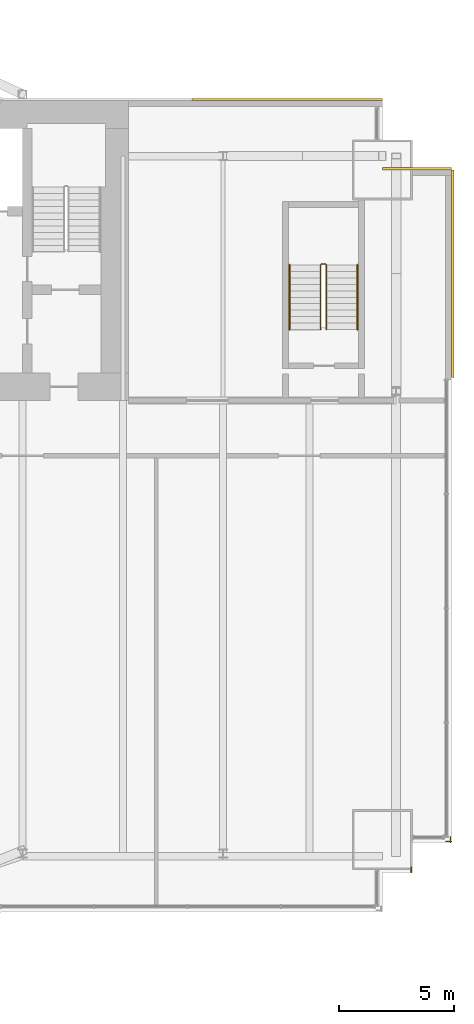
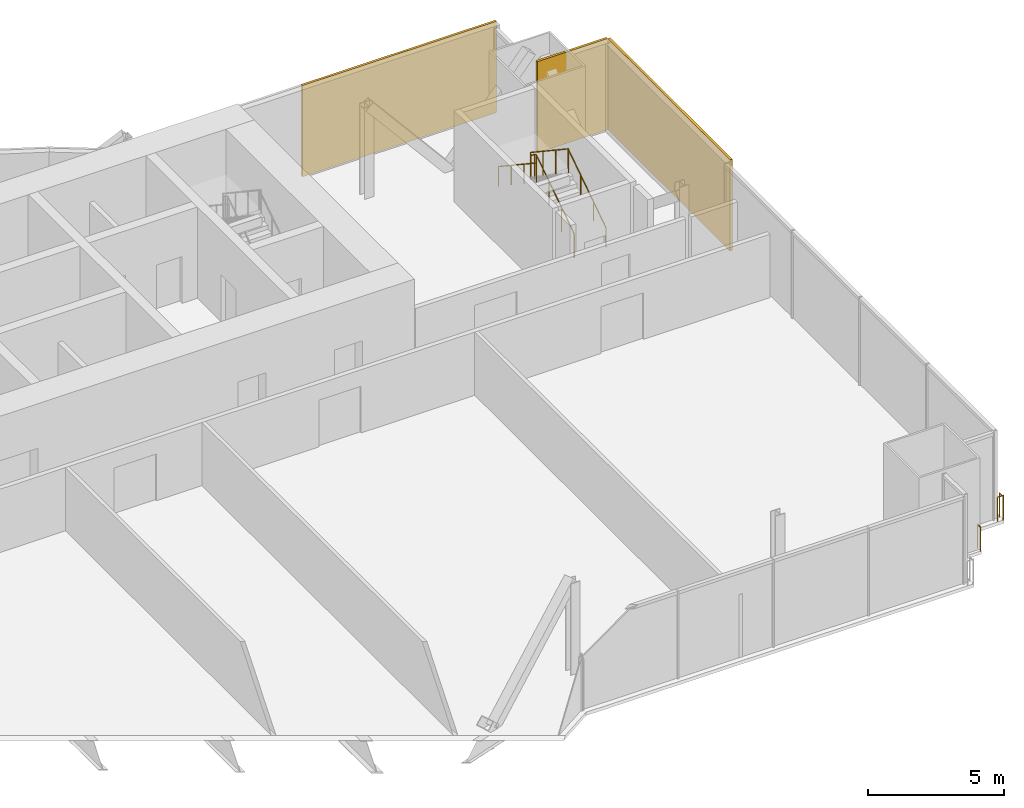
# One storey, part 21 of 21: 5 railings, 3 coverings.
"""IFC4 building model written with IfcOpenShell, lengths in metres."""

from ifc_helpers import new_model, si_unit, direction, frame, origin, origin_2d, place, context, subcontext, project, spatial, rectangle, circle, extrude, material, layer, layer_set, type_object, element, save


model = new_model("IFC4")

# Units and contexts
model_context = context("Model", 3, precision=1e-05, world=origin(), true_north=direction((0.0, 1.0)))
body_context = subcontext(model_context, "Body", "Model", "MODEL_VIEW")
ifc_project = project(units=[si_unit("LENGTHUNIT", "METRE"), si_unit("AREAUNIT", "SQUARE_METRE"), si_unit("VOLUMEUNIT", "CUBIC_METRE"), si_unit("PLANEANGLEUNIT", "RADIAN"), si_unit("MASSUNIT", "GRAM", prefix="KILO")], contexts=[model_context])

# Site, building, storey
site_placement = place(None, origin())
site = spatial("IfcSite", under=ifc_project, at=site_placement, CompositionType="ELEMENT")
building_placement = place(site_placement, origin())
building = spatial("IfcBuilding", under=site, at=building_placement, Name="Bicima Exchange Tower", CompositionType="ELEMENT")
storey_placement = place(building_placement, frame((0.0, 0.0, 156.800048828125)))
storey = spatial("IfcBuildingStorey", under=building, at=storey_placement, Name="L34", CompositionType="ELEMENT", Elevation=156.800048828125)

# Coverings
ifc_material_1 = material(Name="Bronze metal cladding")
ifc_layer_1 = layer(ifc_material_1, 0.004)
ifc_material_2 = material(Name="Ventilated cavity")
ifc_layer_2 = layer(ifc_material_2, 0.06)
ifc_material_3 = material(Name="Galvanised steel rail and mineral wool", Category="steel")
ifc_layer_3 = layer(ifc_material_3, 0.036)
ifc_layer_set = layer_set([ifc_layer_1, ifc_layer_2, ifc_layer_3], Name="Ventilated cavity")
covering_type = type_object("IfcCoveringType", Name="Bronze metal cladding panel 100", PredefinedType="CLADDING", material=ifc_layer_set)
covering_1_placement = place(storey_placement, frame((28.875, 0.050048828125, -0.150146484375), z_axis=(0.0, 0.0, 1.0), x_axis=(-1.0, 0.0, 0.0)))
element("IfcCovering", 1, at=covering_1_placement, inside=storey, type_object=covering_type, Name="Bronze cladding L34 1.1", PredefinedType="CLADDING", context=body_context, shape_type="SweptSolid", body=[
    extrude(rectangle(XDim=8.25, YDim=0.10009765625, at=origin_2d()), origin(), (0.0, 0.0, 1.0), 4.10009765625),
])
covering_2_placement = place(storey_placement, frame((36.050048828125, -7.5, -0.150146484375), z_axis=(0.0, 0.0, 1.0), x_axis=(0.0, 1.0, 0.0)))
element("IfcCovering", 2, at=covering_2_placement, inside=storey, type_object=covering_type, Name="Bronze cladding L34 50.1", PredefinedType="CLADDING", context=body_context, shape_type="SweptSolid", body=[
    extrude(rectangle(XDim=9.0, YDim=0.10009765625, at=origin_2d()), origin(), (0.0, 0.0, 1.0), 4.10009765625),
])
covering_3_placement = place(storey_placement, frame((34.5, -2.949951171875, -0.150146484375), z_axis=(0.0, 0.0, 1.0), x_axis=(-1.0, 0.0, 0.0)))
element("IfcCovering", 3, at=covering_3_placement, inside=storey, type_object=covering_type, Name="Bronze cladding L34 51.1", PredefinedType="CLADDING", context=body_context, shape_type="SweptSolid", body=[
    extrude(rectangle(XDim=3.0, YDim=0.10009765625, at=origin_2d()), origin(), (0.0, 0.0, 1.0), 4.10009765625),
])

# Railings
ifc_material_4 = material(Name="Stainless steel and bonded safety glass", Category="steel")
railing_type_1 = type_object("IfcRailingType", Name="Edge guard 1100", PredefinedType="GUARDRAIL", material=ifc_material_4)
railing_1_placement = place(storey_placement, frame((35.949951171875, -31.9189453125, 0.0)))
element("IfcRailing", 4, at=railing_1_placement, inside=storey, type_object=railing_type_1, Name="Edge guard L34 168", PredefinedType="GUARDRAIL", context=body_context, shape_type="SweptSolid", body=[
    extrude(circle(Radius=0.02392578125, at=origin_2d()), frame((0.0, 0.0, 1.076171875), z_axis=(0.0, -1.0, 0.0), x_axis=(1.0, 0.0, 0.0)), (0.0, 0.0, 1.0), 0.2490234375),
    extrude(circle(Radius=0.02392578125, at=origin_2d()), frame((0.0, -0.2490234375, 1.076171875), z_axis=(0.707106781187, 0.707106781187, 0.0), x_axis=(-0.707106781187, 0.707106781187, 0.0)), (0.0, 0.0, 1.0), 0.07080078125),
    extrude(circle(Radius=0.02392578125, at=origin_2d()), frame((0.050048828125, -0.198974609375, 1.076171875), z_axis=(-1.0, 0.0, 0.0), x_axis=(0.0, -1.0, 0.0)), (0.0, 0.0, 1.0), 0.242919921875),
    extrude(circle(Radius=0.02099609375, at=origin_2d()), origin(), (0.0, 0.0, 1.0), 1.052001953125),
    extrude(circle(Radius=0.02099609375, at=origin_2d()), frame((0.0, -0.2490234375, 0.0)), (0.0, 0.0, 1.0), 1.052001953125),
    extrude(circle(Radius=0.02099609375, at=origin_2d()), frame((0.050048828125, -0.198974609375, 0.0)), (0.0, 0.0, 1.0), 1.052001953125),
    extrude(circle(Radius=0.02099609375, at=origin_2d()), frame((-0.19287109375, -0.198974609375, 0.0)), (0.0, 0.0, 1.0), 1.052001953125),
])
railing_2_placement = place(storey_placement, frame((34.25, -33.2509765625, 0.0)))
element("IfcRailing", 5, at=railing_2_placement, inside=storey, type_object=railing_type_1, Name="Edge guard L34 169", PredefinedType="GUARDRAIL", context=body_context, shape_type="SweptSolid", body=[
    extrude(circle(Radius=0.02392578125, at=origin_2d()), frame((0.0, 0.0, 1.076171875), z_axis=(0.0, -1.0, 0.0), x_axis=(1.0, 0.0, 0.0)), (0.0, 0.0, 1.0), 0.217041015625),
    extrude(circle(Radius=0.02099609375, at=origin_2d()), origin(), (0.0, 0.0, 1.0), 1.052001953125),
    extrude(circle(Radius=0.02099609375, at=origin_2d()), frame((0.0, -0.217041015625, 0.0)), (0.0, 0.0, 1.0), 1.052001953125),
])
ifc_material_5 = material(Name="Stainless steel", Category="steel")
railing_type_2 = type_object("IfcRailingType", Name="Stair guard 1100", PredefinedType="GUARDRAIL", material=ifc_material_5)
railing_3_placement = place(storey_placement, frame((30.574951171875, -9.925048828125, 0.186279296875)))
element("IfcRailing", 6, at=railing_3_placement, inside=storey, type_object=railing_type_2, Name="L34 ST-EE stair guard 1", PredefinedType="GUARDRAIL", context=body_context, shape_type="SweptSolid", body=[
    extrude(circle(Radius=0.02392578125, at=origin_2d()), frame((0.0, 0.0, 1.076171875), z_axis=(0.0, 0.832452072856, 0.554097055034), x_axis=(-1.0, 0.0, 0.0)), (0.0, 0.0, 1.0), 3.363525390625),
    extrude(circle(Radius=0.02392578125, at=origin_2d()), frame((0.0, 2.800048828125, 2.93994140625), z_axis=(-0.707106781187, 0.707106781187, 0.0), x_axis=(-0.707106781187, -0.707106781187, 0.0)), (0.0, 0.0, 1.0), 0.07080078125),
    extrude(circle(Radius=0.02392578125, at=origin_2d()), frame((-0.050048828125, 2.85009765625, 2.93994140625), z_axis=(-1.0, 0.0, 0.0), x_axis=(0.0, -1.0, 0.0)), (0.0, 0.0, 1.0), 0.14990234375),
    extrude(circle(Radius=0.02392578125, at=origin_2d()), frame((-0.199951171875, 2.85009765625, 2.93994140625), z_axis=(-0.251157038772, -0.251157038772, 0.934794246747), x_axis=(0.707106781187, -0.707106781187, 0.0)), (0.0, 0.0, 1.0), 0.19921875),
    extrude(circle(Radius=0.02392578125, at=origin_2d()), frame((-0.25, 2.800048828125, 3.1259765625), z_axis=(0.0, -0.832485552168, 0.554046753832), x_axis=(1.0, 0.0, 0.0)), (0.0, 0.0, 1.0), 3.363525390625),
    extrude(circle(Radius=0.02099609375, at=origin_2d()), origin(), (0.0, 0.0, 1.0), 1.052001953125),
    extrude(circle(Radius=0.02099609375, at=origin_2d()), frame((0.0, 0.933349609375, 0.621337890625)), (0.0, 0.0, 1.0), 1.052001953125),
    extrude(circle(Radius=0.02099609375, at=origin_2d()), frame((0.0, 1.86669921875, 1.242431640625)), (0.0, 0.0, 1.0), 1.052001953125),
    extrude(circle(Radius=0.02099609375, at=origin_2d()), frame((0.0, 2.800048828125, 1.86376953125)), (0.0, 0.0, 1.0), 1.052001953125),
    extrude(circle(Radius=0.02099609375, at=origin_2d()), frame((-0.050048828125, 2.85009765625, 1.86376953125)), (0.0, 0.0, 1.0), 1.052001953125),
    extrude(circle(Radius=0.02099609375, at=origin_2d()), frame((-0.199951171875, 2.85009765625, 1.86376953125)), (0.0, 0.0, 1.0), 1.052001953125),
    extrude(circle(Radius=0.02099609375, at=origin_2d()), frame((-0.25, 2.800048828125, 2.050048828125)), (0.0, 0.0, 1.0), 1.052001953125),
    extrude(circle(Radius=0.02099609375, at=origin_2d()), frame((-0.25, 1.86669921875, 2.671142578125)), (0.0, 0.0, 1.0), 1.052001953125),
    extrude(circle(Radius=0.02099609375, at=origin_2d()), frame((-0.25, 0.933349609375, 3.29248046875)), (0.0, 0.0, 1.0), 1.052001953125),
    extrude(circle(Radius=0.02099609375, at=origin_2d()), frame((-0.25, 0.0, 3.91357421875)), (0.0, 0.0, 1.0), 1.052001953125),
])
railing_type_3 = type_object("IfcRailingType", Name="Stair handrail 900", PredefinedType="HANDRAIL", material=ifc_material_5)
railing_4_placement = place(storey_placement, frame((31.925048828125, -9.925048828125, 0.186279296875)))
element("IfcRailing", 7, at=railing_4_placement, inside=storey, type_object=railing_type_3, Name="L34 ST-EE stair handrail 1", PredefinedType="HANDRAIL", context=body_context, shape_type="SweptSolid", body=[
    extrude(circle(Radius=0.02392578125, at=origin_2d()), frame((0.0, 0.0, 0.8759765625), z_axis=(0.0, 0.832452072856, 0.554097055034), x_axis=(-1.0, 0.0, 0.0)), (0.0, 0.0, 1.0), 3.363525390625),
    extrude(circle(Radius=0.02099609375, at=origin_2d()), origin(), (0.0, 0.0, 1.0), 0.851806640625),
    extrude(circle(Radius=0.02099609375, at=origin_2d()), frame((0.0, 0.933349609375, 0.621337890625)), (0.0, 0.0, 1.0), 0.851806640625),
    extrude(circle(Radius=0.02099609375, at=origin_2d()), frame((0.0, 1.86669921875, 1.242431640625)), (0.0, 0.0, 1.0), 0.851806640625),
    extrude(circle(Radius=0.02099609375, at=origin_2d()), frame((0.0, 2.800048828125, 1.86376953125)), (0.0, 0.0, 1.0), 0.851806640625),
])
railing_5_placement = place(storey_placement, frame((28.97509765625, -7.125, 2.276611328125)))
element("IfcRailing", 8, at=railing_5_placement, inside=storey, type_object=railing_type_3, Name="L34 ST-EE stair handrail 2", PredefinedType="HANDRAIL", context=body_context, shape_type="SweptSolid", body=[
    extrude(circle(Radius=0.02392578125, at=origin_2d()), frame((0.0, 0.0, 0.8759765625), z_axis=(0.0, -0.832452072856, 0.554097055034), x_axis=(1.0, 0.0, 0.0)), (0.0, 0.0, 1.0), 3.363525390625),
    extrude(circle(Radius=0.02099609375, at=origin_2d()), origin(), (0.0, 0.0, 1.0), 0.851806640625),
    extrude(circle(Radius=0.02099609375, at=origin_2d()), frame((0.0, -0.933349609375, 0.621337890625)), (0.0, 0.0, 1.0), 0.851806640625),
    extrude(circle(Radius=0.02099609375, at=origin_2d()), frame((0.0, -1.86669921875, 1.242431640625)), (0.0, 0.0, 1.0), 0.851806640625),
    extrude(circle(Radius=0.02099609375, at=origin_2d()), frame((0.0, -2.800048828125, 1.86376953125)), (0.0, 0.0, 1.0), 0.851806640625),
])

save(model, "model.ifc")
